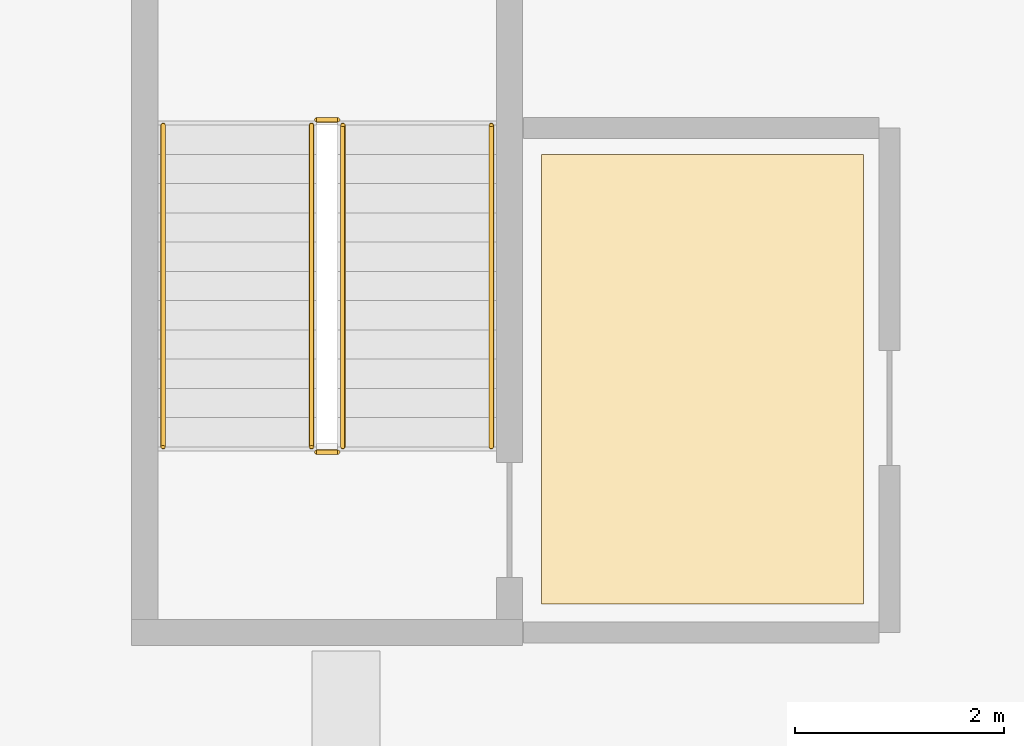
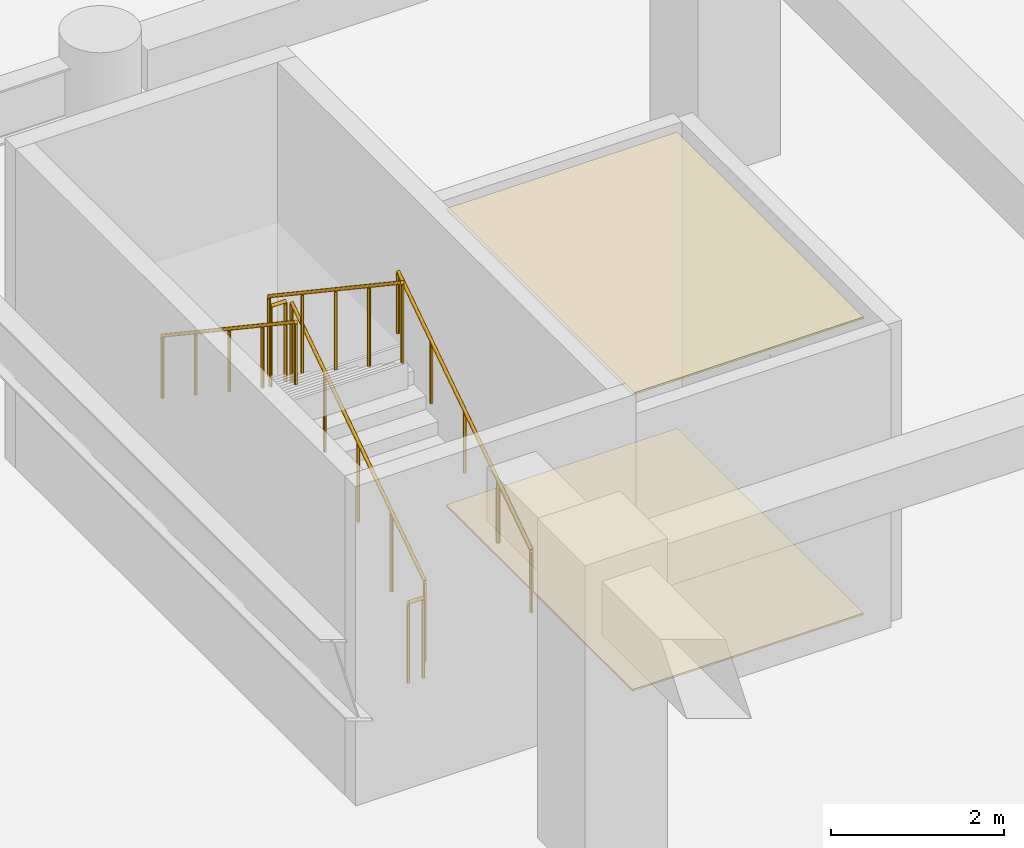
# One storey, part 39 of 43: 6 railings, 2 coverings.
"""IFC4 building model written with IfcOpenShell, lengths in metres."""

from ifc_helpers import new_model, si_unit, direction, frame, origin, origin_2d, place, context, subcontext, project, spatial, polyline, circle, outline, extrude, material, layer, layer_set, type_object, element, save


model = new_model("IFC4")

# Units and contexts
model_context = context("Model", 3, precision=1e-05, world=origin(), true_north=direction((0.0, 1.0)))
body_context = subcontext(model_context, "Body", "Model", "MODEL_VIEW")
ifc_project = project(units=[si_unit("LENGTHUNIT", "METRE"), si_unit("AREAUNIT", "SQUARE_METRE"), si_unit("VOLUMEUNIT", "CUBIC_METRE"), si_unit("PLANEANGLEUNIT", "RADIAN"), si_unit("MASSUNIT", "GRAM", prefix="KILO")], contexts=[model_context])

# Site, building, storey
site_placement = place(None, origin())
site = spatial("IfcSite", under=ifc_project, at=site_placement, CompositionType="ELEMENT")
building_placement = place(site_placement, origin())
building = spatial("IfcBuilding", under=site, at=building_placement, Name="Korimba Cascade Residences", CompositionType="ELEMENT")
storey_placement = place(building_placement, frame((0.0, 0.0, 10.0)))
storey = spatial("IfcBuildingStorey", under=building, at=storey_placement, Name="L02", CompositionType="ELEMENT", Elevation=10.0)

# Coverings
ifc_material_1 = material(Name="Perforated Acoustic Gypsum Ceiling", Category="gypsum")
ifc_layer_1 = layer(ifc_material_1, 0.02490234375)
ifc_layer_set_1 = layer_set([ifc_layer_1], Name="Perforated Acoustic Gypsum Ceiling")
covering_type_1 = type_object("IfcCoveringType", Name="COV-CLG-AC", PredefinedType="CEILING", material=ifc_layer_set_1)
covering_1_placement = place(storey_placement, frame((0.0, 0.0, 4.175048828125)))
element("IfcCovering", 1, at=covering_1_placement, inside=storey, type_object=covering_type_1, Name="L02 Suspended Acoustic Ceiling L02-PL5", PredefinedType="CEILING", context=body_context, shape_type="SweptSolid", body=[
    extrude(outline(polyline([(61.669921875, 82.14990234375), (64.75, 82.14990234375), (64.75, 86.449951171875), (61.669921875, 86.449951171875), (61.669921875, 82.14990234375)])), origin(), (0.0, 0.0, 1.0), 0.02490234375),
])
ifc_material_2 = material(Name="Honed Travertine Stone Flooring", Category="masonry")
ifc_layer_2 = layer(ifc_material_2, 0.02490234375)
ifc_layer_set_2 = layer_set([ifc_layer_2], Name="Honed Travertine Stone Flooring")
covering_type_2 = type_object("IfcCoveringType", Name="COV-FLR-STN", PredefinedType="FLOORING", material=ifc_layer_set_2)
covering_2_placement = place(storey_placement, origin())
element("IfcCovering", 2, at=covering_2_placement, inside=storey, type_object=covering_type_2, Name="L02 Honed Travertine Stone Flooring L02-PL5", PredefinedType="FLOORING", context=body_context, shape_type="SweptSolid", body=[
    extrude(outline(polyline([(61.669921875, 82.14990234375), (64.75, 82.14990234375), (64.75, 86.449951171875), (61.669921875, 86.449951171875), (61.669921875, 82.14990234375)])), origin(), (0.0, 0.0, 1.0), 0.02490234375),
])

# Railings
ifc_material_3 = material(Name="Painted Steel Stairwell Guardrail", Category="steel")
railing_type_1 = type_object("IfcRailingType", Name="RLG-ST-GD1150", PredefinedType="GUARDRAIL", material=ifc_material_3)
railing_1_placement = place(storey_placement, frame((59.77001953125, 83.64990234375, 0.1875)))
element("IfcRailing", 3, at=railing_1_placement, inside=storey, type_object=railing_type_1, Name="L02 ST-P5 stair guard 1", PredefinedType="GUARDRAIL", context=body_context, shape_type="SweptSolid", body=[
    extrude(circle(Radius=0.02392578125, at=origin_2d()), frame((0.0, 0.0, 1.1259765625), z_axis=(0.0, 0.830913701846, 0.55640131208), x_axis=(-1.0, 0.0, 0.0)), (0.0, 0.0, 1.0), 3.706787109375),
    extrude(circle(Radius=0.02099609375, at=origin_2d()), origin(), (0.0, 0.0, 1.0), 1.101806640625),
    extrude(circle(Radius=0.02099609375, at=origin_2d()), frame((0.0, 0.77001953125, 0.515625)), (0.0, 0.0, 1.0), 1.101806640625),
    extrude(circle(Radius=0.02099609375, at=origin_2d()), frame((0.0, 1.5400390625, 1.03125)), (0.0, 0.0, 1.0), 1.101806640625),
    extrude(circle(Radius=0.02099609375, at=origin_2d()), frame((0.0, 2.31005859375, 1.546875)), (0.0, 0.0, 1.0), 1.101806640625),
    extrude(circle(Radius=0.02099609375, at=origin_2d()), frame((0.0, 3.080078125, 2.0625)), (0.0, 0.0, 1.0), 1.101806640625),
])
railing_2_placement = place(storey_placement, frame((59.719970703125, 86.780029296875, 2.25)))
element("IfcRailing", 4, at=railing_2_placement, inside=storey, type_object=railing_type_1, Name="L02 ST-P5 stair guard 2", PredefinedType="GUARDRAIL", context=body_context, shape_type="SweptSolid", body=[
    extrude(circle(Radius=0.02392578125, at=origin_2d()), frame((0.0, 0.0, 1.1259765625), z_axis=(-1.0, 0.0, 0.0), x_axis=(0.0, -1.0, 0.0)), (0.0, 0.0, 1.0), 0.199951171875),
    extrude(circle(Radius=0.02099609375, at=origin_2d()), origin(), (0.0, 0.0, 1.0), 1.101806640625),
    extrude(circle(Radius=0.02099609375, at=origin_2d()), frame((-0.199951171875, 0.0, 0.0)), (0.0, 0.0, 1.0), 1.101806640625),
])
railing_3_placement = place(storey_placement, frame((59.469970703125, 86.72998046875, 2.4375)))
element("IfcRailing", 5, at=railing_3_placement, inside=storey, type_object=railing_type_1, Name="L02 ST-P5 stair guard 3", PredefinedType="GUARDRAIL", context=body_context, shape_type="SweptSolid", body=[
    extrude(circle(Radius=0.02392578125, at=origin_2d()), frame((0.0, 0.0, 1.1259765625), z_axis=(0.0, -0.830913701846, 0.55640131208), x_axis=(1.0, 0.0, 0.0)), (0.0, 0.0, 1.0), 3.706787109375),
    extrude(circle(Radius=0.02099609375, at=origin_2d()), origin(), (0.0, 0.0, 1.0), 1.101806640625),
    extrude(circle(Radius=0.02099609375, at=origin_2d()), frame((0.0, -0.77001953125, 0.515625)), (0.0, 0.0, 1.0), 1.101806640625),
    extrude(circle(Radius=0.02099609375, at=origin_2d()), frame((0.0, -1.5400390625, 1.03125)), (0.0, 0.0, 1.0), 1.101806640625),
    extrude(circle(Radius=0.02099609375, at=origin_2d()), frame((0.0, -2.31005859375, 1.546875)), (0.0, 0.0, 1.0), 1.101806640625),
    extrude(circle(Radius=0.02099609375, at=origin_2d()), frame((0.0, -3.080078125, 2.0625)), (0.0, 0.0, 1.0), 1.101806640625),
])
railing_4_placement = place(storey_placement, frame((59.719970703125, 83.60009765625, 0.0)))
element("IfcRailing", 6, at=railing_4_placement, inside=storey, type_object=railing_type_1, Name="L02 ST-P5 stair guard 4", PredefinedType="GUARDRAIL", context=body_context, shape_type="SweptSolid", body=[
    extrude(circle(Radius=0.02392578125, at=origin_2d()), frame((0.0, 0.0, 1.1259765625), z_axis=(-1.0, 0.0, 0.0), x_axis=(0.0, -1.0, 0.0)), (0.0, 0.0, 1.0), 0.199951171875),
    extrude(circle(Radius=0.02099609375, at=origin_2d()), origin(), (0.0, 0.0, 1.0), 1.101806640625),
    extrude(circle(Radius=0.02099609375, at=origin_2d()), frame((-0.199951171875, 0.0, 0.0)), (0.0, 0.0, 1.0), 1.101806640625),
])
ifc_material_4 = material(Name="Brushed Stainless Steel Handrail", Category="steel")
railing_type_2 = type_object("IfcRailingType", Name="RLG-ST-HR900", PredefinedType="HANDRAIL", material=ifc_material_4)
railing_5_placement = place(storey_placement, frame((61.18994140625, 83.64990234375, 0.379150390625)))
element("IfcRailing", 7, at=railing_5_placement, inside=storey, type_object=railing_type_2, Name="L02 ST-P5 stair handrail 1", PredefinedType="HANDRAIL", context=body_context, shape_type="SweptSolid", body=[
    extrude(circle(Radius=0.02392578125, at=origin_2d()), frame((0.0, 0.0, 0.8759765625), z_axis=(0.0, 0.830913701846, 0.55640131208), x_axis=(-1.0, 0.0, 0.0)), (0.0, 0.0, 1.0), 3.706787109375),
    extrude(circle(Radius=0.02099609375, at=origin_2d()), origin(), (0.0, 0.0, 1.0), 0.851806640625),
    extrude(circle(Radius=0.02099609375, at=origin_2d()), frame((0.0, 0.77001953125, 0.515625)), (0.0, 0.0, 1.0), 0.851806640625),
    extrude(circle(Radius=0.02099609375, at=origin_2d()), frame((0.0, 1.5400390625, 1.03125)), (0.0, 0.0, 1.0), 0.851806640625),
    extrude(circle(Radius=0.02099609375, at=origin_2d()), frame((0.0, 2.31005859375, 1.546875)), (0.0, 0.0, 1.0), 0.851806640625),
    extrude(circle(Radius=0.02099609375, at=origin_2d()), frame((0.0, 3.080078125, 2.0625)), (0.0, 0.0, 1.0), 0.851806640625),
])
railing_6_placement = place(storey_placement, frame((58.050048828125, 86.72998046875, 2.629150390625)))
element("IfcRailing", 8, at=railing_6_placement, inside=storey, type_object=railing_type_2, Name="L02 ST-P5 stair handrail 2", PredefinedType="HANDRAIL", context=body_context, shape_type="SweptSolid", body=[
    extrude(circle(Radius=0.02392578125, at=origin_2d()), frame((0.0, 0.0, 0.8759765625), z_axis=(0.0, -0.830913701846, 0.55640131208), x_axis=(1.0, 0.0, 0.0)), (0.0, 0.0, 1.0), 3.706787109375),
    extrude(circle(Radius=0.02099609375, at=origin_2d()), origin(), (0.0, 0.0, 1.0), 0.851806640625),
    extrude(circle(Radius=0.02099609375, at=origin_2d()), frame((0.0, -0.77001953125, 0.515625)), (0.0, 0.0, 1.0), 0.851806640625),
    extrude(circle(Radius=0.02099609375, at=origin_2d()), frame((0.0, -1.5400390625, 1.03125)), (0.0, 0.0, 1.0), 0.851806640625),
    extrude(circle(Radius=0.02099609375, at=origin_2d()), frame((0.0, -2.31005859375, 1.546875)), (0.0, 0.0, 1.0), 0.851806640625),
    extrude(circle(Radius=0.02099609375, at=origin_2d()), frame((0.0, -3.080078125, 2.0625)), (0.0, 0.0, 1.0), 0.851806640625),
])

save(model, "model.ifc")
